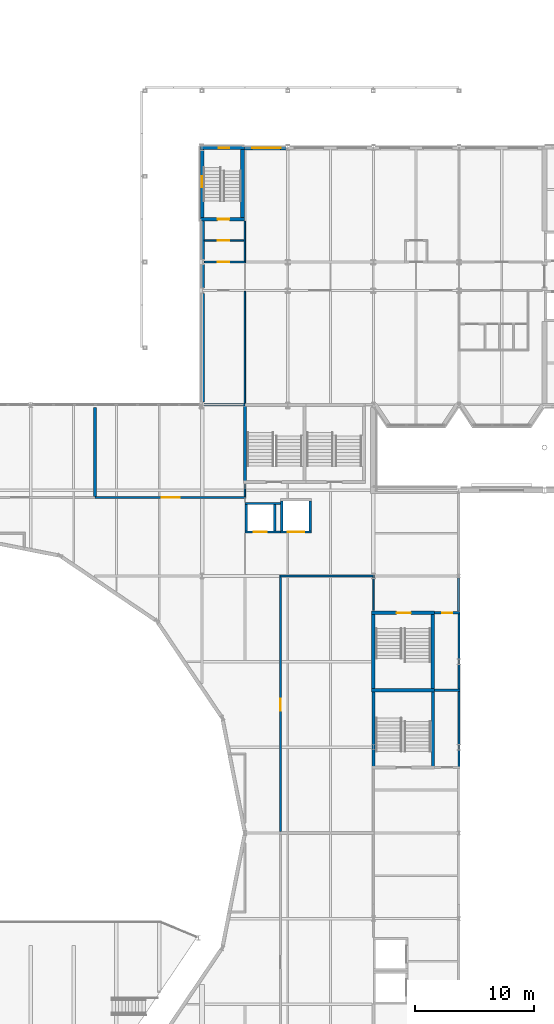
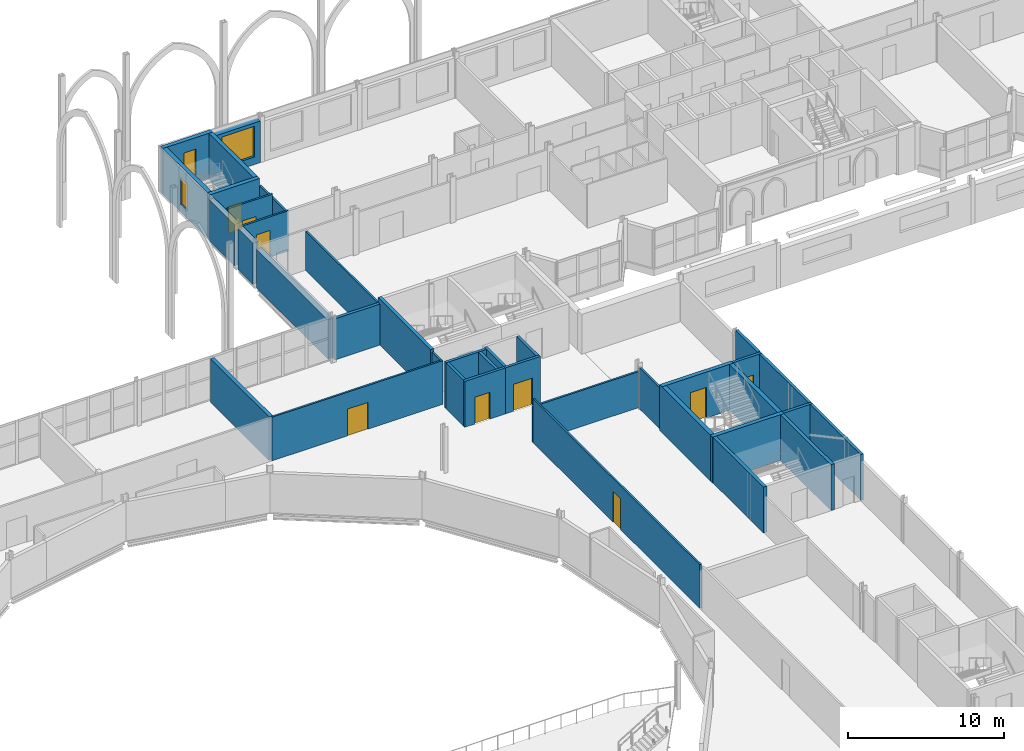
# One storey, part 72 of 124: 38 walls, 9 doors, 3 windows, 12 openings.
"""IFC4 building model written with IfcOpenShell, lengths in metres."""

from ifc_helpers import new_model, si_unit, direction, frame, frame_2d, origin, place, context, subcontext, project, spatial, rectangle, extrude, material, layer, layer_set, type_object, element, fill, save


model = new_model("IFC4")

# Units and contexts
model_context = context("Model", 3, precision=1e-05, world=origin(), true_north=direction((0.0, 1.0)))
body_context = subcontext(model_context, "Body", "Model", "MODEL_VIEW")
ifc_project = project(units=[si_unit("LENGTHUNIT", "METRE"), si_unit("AREAUNIT", "SQUARE_METRE"), si_unit("VOLUMEUNIT", "CUBIC_METRE"), si_unit("PLANEANGLEUNIT", "RADIAN"), si_unit("MASSUNIT", "GRAM", prefix="KILO")], contexts=[model_context])

# Site, building, storey
site_placement = place(None, origin())
site = spatial("IfcSite", under=ifc_project, at=site_placement, CompositionType="ELEMENT")
building_placement = place(site_placement, origin())
building = spatial("IfcBuilding", under=site, at=building_placement, Name="Kupolbacken Congress Centre", CompositionType="ELEMENT")
storey_placement = place(building_placement, frame((0.0, 0.0, 10.800048828125)))
storey = spatial("IfcBuildingStorey", under=building, at=storey_placement, Name="L03", CompositionType="ELEMENT", Elevation=10.800048828125)

# Wall, opening, window
ifc_material_1 = material(Name="Limestone", Category="masonry")
ifc_layer_1 = layer(ifc_material_1, 0.1201171875)
ifc_material_2 = material(Name="Air cavity", Category="air")
ifc_layer_2 = layer(ifc_material_2, 0.0400390625, ventilated=True)
ifc_material_3 = material(Name="Mineral wool", Category="insulation")
ifc_layer_3 = layer(ifc_material_3, 0.169921875)
ifc_material_4 = material(Name="Steel studs", Category="metal")
ifc_layer_4 = layer(ifc_material_4, 0.050048828125)
ifc_layer_set_1 = layer_set([ifc_layer_1, ifc_layer_2, ifc_layer_3, ifc_layer_4], Name="Limestone / Mineral wool / Steel studs")
wall_type_1 = type_object("IfcWallType", Name="EW03 external cavity wall 380", PredefinedType="SOLIDWALL", material=ifc_layer_set_1)
wall_1_placement = place(storey_placement, frame((71.846435546875, 144.0, 0.0), z_axis=(0.0, 0.0, 1.0), x_axis=(-1.0, 0.0, 0.0)))
wall_1 = element("IfcWall", 1, at=wall_1_placement, inside=storey, type_object=wall_type_1, Name="E/T/N/L03/041", PredefinedType="SOLIDWALL", context=body_context, shape_type="SweptSolid", body=[
    extrude(rectangle(XDim=3.646484375, YDim=0.3798828125, at=frame_2d((1.8232421875, 0.0))), origin(), (0.0, 0.0, 1.0), 3.260009765625),
])
opening_1_placement = place(wall_1_placement, frame((0.446533203125, 0.0, 0.60009765625)))
opening_1 = element("IfcOpeningElement", 2, at=opening_1_placement, cuts=wall_1, Name="Opening W30", PredefinedType="OPENING", context=body_context, shape_type="SweptSolid", body=[
    extrude(rectangle(XDim=2.39990234375, YDim=2.39990234375, at=frame_2d((1.199951171875, 1.199951171875))), frame((0.0, 0.199951171875, 0.0), z_axis=(0.0, -1.0, 0.0), x_axis=(1.0, 0.0, 0.0)), (0.0, 0.0, 1.0), 0.39990234375),
])
ifc_material_5 = material(Name="Aluminium frame with double or triple glazing", Category="aluminium")
window_type_1 = type_object("IfcWindowType", Name="W30 window 2400x2400", PartitioningType="DOUBLE_PANEL_VERTICAL", PredefinedType="WINDOW", material=ifc_material_5)
window_1_placement = place(opening_1_placement, origin())
window_1 = element("IfcWindow", 3, at=window_1_placement, inside=storey, type_object=window_type_1, Name="E/T/N/L03/041/W1", OverallHeight=2.39990234375, OverallWidth=2.39990234375, PartitioningType="SINGLE_PANEL", PredefinedType="WINDOW", context=body_context, shape_type="SweptSolid", body=[
    extrude(rectangle(XDim=2.39990234375, YDim=2.39990234375, at=frame_2d((1.199951171875, 1.199951171875))), frame((0.0, 0.030029296875, 0.0), z_axis=(0.0, -1.0, 0.0), x_axis=(1.0, 0.0, 0.0)), (0.0, 0.0, 1.0), 0.06005859375),
])
fill(opening_1, window_1)

# Walls
wall_2_placement = place(storey_placement, frame((64.800048828125, 138.0, 0.0), z_axis=(0.0, 0.0, 1.0), x_axis=(0.0, -1.0, 0.0)))
element("IfcWall", 4, at=wall_2_placement, inside=storey, type_object=wall_type_1, Name="E/T/W/L03/044", PredefinedType="SOLIDWALL", context=body_context, shape_type="SweptSolid", body=[
    extrude(rectangle(XDim=3.375, YDim=0.3798828125, at=frame_2d((1.6875, 0.0))), origin(), (0.0, 0.0, 1.0), 3.260009765625),
])
wall_3_placement = place(storey_placement, frame((64.800048828125, 134.175048828125, 0.0), z_axis=(0.0, 0.0, 1.0), x_axis=(0.0, -1.0, 0.0)))
element("IfcWall", 5, at=wall_3_placement, inside=storey, type_object=wall_type_1, Name="E/T/W/L03/045", PredefinedType="SOLIDWALL", context=body_context, shape_type="SweptSolid", body=[
    extrude(rectangle(XDim=1.949951171875, YDim=0.3798828125, at=frame_2d((0.97509765625, 0.0))), origin(), (0.0, 0.0, 1.0), 3.260009765625),
])
wall_4_placement = place(storey_placement, frame((64.800048828125, 131.77490234375, 0.0), z_axis=(0.0, 0.0, 1.0), x_axis=(0.0, -1.0, 0.0)))
element("IfcWall", 6, at=wall_4_placement, inside=storey, type_object=wall_type_1, Name="E/T/W/L03/046", PredefinedType="SOLIDWALL", context=body_context, shape_type="SweptSolid", body=[
    extrude(rectangle(XDim=9.14990234375, YDim=0.3798828125, at=frame_2d((4.574951171875, 0.0))), origin(), (0.0, 0.0, 1.0), 3.06005859375),
])
ifc_material_6 = material(Name="Gypsum board", Category="drywall")
ifc_layer_5 = layer(ifc_material_6, 0.135009765625)
ifc_layer_set_2 = layer_set([ifc_layer_5], Name="Gypsum board")
wall_type_2 = type_object("IfcWallType", Name="P06 compartment wall 135", PredefinedType="PARTITIONING", material=ifc_layer_set_2)
wall_5_placement = place(storey_placement, frame((68.39990234375, 114.66748046875, 0.0), z_axis=(0.0, 0.0, 1.0), x_axis=(0.0, 1.0, 0.0)))
element("IfcWall", 7, at=wall_5_placement, inside=storey, type_object=wall_type_2, Name="PD/L03/W007", PredefinedType="PARTITIONING", context=body_context, shape_type="SweptSolid", body=[
    extrude(rectangle(XDim=1.047607421875, YDim=0.135009765625, at=frame_2d((0.52392578125, 0.0))), origin(), (0.0, 0.0, 1.0), 3.419921875),
])
wall_6_placement = place(storey_placement, frame((79.199951171875, 107.9326171875, 0.0), z_axis=(0.0, 0.0, 1.0), x_axis=(0.0, -1.0, 0.0)))
element("IfcWall", 8, at=wall_6_placement, inside=storey, type_object=wall_type_2, Name="PD/L03/W016", PredefinedType="PARTITIONING", context=body_context, shape_type="SweptSolid", body=[
    extrude(rectangle(XDim=2.822509765625, YDim=0.135009765625, at=frame_2d((1.4111328125, 0.0))), origin(), (0.0, 0.0, 1.0), 3.219970703125),
])

# Wall, opening, door
wall_7_placement = place(storey_placement, frame((68.467529296875, 114.60009765625, 0.0), z_axis=(0.0, 0.0, 1.0), x_axis=(-1.0, 0.0, 0.0)))
wall_7 = element("IfcWall", 9, at=wall_7_placement, inside=storey, type_object=wall_type_2, Name="PD/L03/W064", PredefinedType="PARTITIONING", context=body_context, shape_type="SweptSolid", body=[
    extrude(rectangle(XDim=12.66748046875, YDim=0.135009765625, at=frame_2d((6.333740234375, 0.0))), origin(), (0.0, 0.0, 1.0), 3.419921875),
])
opening_2_placement = place(wall_7_placement, frame((5.550048828125, 0.0, 0.0)))
opening_2 = element("IfcOpeningElement", 10, at=opening_2_placement, cuts=wall_7, Name="Opening 3.P16", PredefinedType="OPENING", context=body_context, shape_type="SweptSolid", body=[
    extrude(rectangle(XDim=1.5, YDim=2.10009765625, at=frame_2d((0.75, 1.050048828125))), frame((0.0, 0.077392578125, 0.0), z_axis=(0.0, -1.0, 0.0), x_axis=(1.0, 0.0, 0.0)), (0.0, 0.0, 1.0), 0.155029296875),
])
ifc_material_7 = material(Name="Steel fire door leaf", Category="steel")
door_type_1 = type_object("IfcDoorType", Name="D12 fire door 1500x2100", OperationType="DOUBLE_DOOR_SINGLE_SWING", PredefinedType="DOOR", material=ifc_material_7)
door_1_placement = place(opening_2_placement, origin())
door_1 = element("IfcDoor", 11, at=door_1_placement, inside=storey, type_object=door_type_1, Name="PD/L03/W064/D3P16", OperationType="DOUBLE_DOOR_SINGLE_SWING", OverallHeight=2.10009765625, OverallWidth=1.5, PredefinedType="DOOR", context=body_context, shape_type="SweptSolid", body=[
    extrude(rectangle(XDim=1.5, YDim=2.10009765625, at=frame_2d((0.75, 1.050048828125))), frame((0.0, 0.02490234375, 0.0), z_axis=(0.0, -1.0, 0.0), x_axis=(1.0, 0.0, 0.0)), (0.0, 0.0, 1.0), 0.050048828125),
])
fill(opening_2, door_1)

# Wall
wall_8_placement = place(storey_placement, frame((71.33251953125, 108.0, 0.0), z_axis=(0.0, 0.0, 1.0), x_axis=(1.0, 0.0, 0.0)))
element("IfcWall", 12, at=wall_8_placement, inside=storey, type_object=wall_type_2, Name="PD/L03/W072", PredefinedType="PARTITIONING", context=body_context, shape_type="SweptSolid", body=[
    extrude(rectangle(XDim=7.93505859375, YDim=0.135009765625, at=frame_2d((3.967529296875, 0.0))), origin(), (0.0, 0.0, 1.0), 2.820068359375),
])

# Wall, opening, door
wall_9_placement = place(storey_placement, frame((71.39990234375, 86.53759765625, 0.0), z_axis=(0.0, 0.0, 1.0), x_axis=(0.0, 1.0, 0.0)))
wall_9 = element("IfcWall", 13, at=wall_9_placement, inside=storey, type_object=wall_type_2, Name="PD/L03/W073", PredefinedType="PARTITIONING", context=body_context, shape_type="SweptSolid", body=[
    extrude(rectangle(XDim=21.39501953125, YDim=0.135009765625, at=frame_2d((10.697509765625, 0.0))), origin(), (0.0, 0.0, 1.0), 3.419921875),
])
opening_3_placement = place(wall_9_placement, frame((10.14990234375, 0.0, 0.0)))
opening_3 = element("IfcOpeningElement", 14, at=opening_3_placement, cuts=wall_9, Name="Opening 3.P18", PredefinedType="OPENING", context=body_context, shape_type="SweptSolid", body=[
    extrude(rectangle(XDim=1.0, YDim=2.39990234375, at=frame_2d((0.5, 1.199951171875))), frame((0.0, 0.077392578125, 0.0), z_axis=(0.0, -1.0, 0.0), x_axis=(1.0, 0.0, 0.0)), (0.0, 0.0, 1.0), 0.155029296875),
])
ifc_material_8 = material(Name="Steel fire door leaf", Category="steel")
door_type_2 = type_object("IfcDoorType", Name="D8 fire door 1000x2400", OperationType="SINGLE_SWING_LEFT", PredefinedType="DOOR", material=ifc_material_8)
door_2_placement = place(opening_3_placement, frame((1.0, 0.0, 0.0), z_axis=(0.0, 0.0, 1.0), x_axis=(-1.0, 0.0, 0.0)))
door_2 = element("IfcDoor", 15, at=door_2_placement, inside=storey, type_object=door_type_2, Name="PD/L03/W073/D3P18", OperationType="SINGLE_SWING_RIGHT", OverallHeight=2.39990234375, OverallWidth=1.0, PredefinedType="DOOR", context=body_context, shape_type="SweptSolid", body=[
    extrude(rectangle(XDim=1.0, YDim=2.39990234375, at=frame_2d((0.5, 1.199951171875))), frame((0.0, 0.02490234375, 0.0), z_axis=(0.0, -1.0, 0.0), x_axis=(1.0, 0.0, 0.0)), (0.0, 0.0, 1.0), 0.050048828125),
])
fill(opening_3, door_2)

# Walls
wall_10_placement = place(storey_placement, frame((68.39990234375, 122.52490234375, 0.0), z_axis=(0.0, 0.0, 1.0), x_axis=(0.0, 1.0, 0.0)))
element("IfcWall", 16, at=wall_10_placement, inside=storey, type_object=wall_type_2, Name="T/wall/L03/y/6840/12252", PredefinedType="PARTITIONING", context=body_context, shape_type="SweptSolid", body=[
    extrude(rectangle(XDim=9.40771484375, YDim=0.135009765625, at=frame_2d((4.703857421875, 0.0))), origin(), (0.0, 0.0, 1.0), 3.06005859375),
])
ifc_material_9 = material(Name="Gypsum board", Category="drywall")
ifc_layer_6 = layer(ifc_material_9, 0.22509765625)
ifc_layer_set_3 = layer_set([ifc_layer_6], Name="Gypsum board")
wall_type_3 = type_object("IfcWallType", Name="P11 compartment wall 225", PredefinedType="PARTITIONING", material=ifc_layer_set_3)
wall_11_placement = place(storey_placement, frame((64.949951171875, 122.39990234375, 0.0), z_axis=(0.0, 0.0, 1.0), x_axis=(1.0, 0.0, 0.0)))
element("IfcWall", 17, at=wall_11_placement, inside=storey, type_object=wall_type_3, Name="E/T/party/L03/07", PredefinedType="PARTITIONING", context=body_context, shape_type="SweptSolid", body=[
    extrude(rectangle(XDim=3.449951171875, YDim=0.22509765625, at=frame_2d((1.72509765625, 0.0))), origin(), (0.0, 0.0, 1.0), 3.219970703125),
])
ifc_material_10 = material(Name="Gypsum board", Category="drywall")
ifc_layer_7 = layer(ifc_material_10, 0.27490234375)
ifc_layer_set_4 = layer_set([ifc_layer_7], Name="Gypsum board")
wall_type_4 = type_object("IfcWallType", Name="P12 partition 275", PredefinedType="PARTITIONING", material=ifc_layer_set_4)
wall_12_placement = place(storey_placement, frame((55.800048828125, 122.179931640625, 0.0), z_axis=(0.0, 0.0, 1.0), x_axis=(0.0, -1.0, 0.0)))
element("IfcWall", 18, at=wall_12_placement, inside=storey, type_object=wall_type_4, Name="PD/L03/W062", PredefinedType="PARTITIONING", context=body_context, shape_type="SweptSolid", body=[
    extrude(rectangle(XDim=7.512451171875, YDim=0.27490234375, at=frame_2d((3.75634765625, 0.0))), origin(), (0.0, 0.0, 1.0), 3.419921875),
])

# Wall, opening, door
ifc_material_11 = material(Name="Aerated concrete block", Category="masonry")
ifc_layer_8 = layer(ifc_material_11, 0.139892578125)
ifc_layer_set_5 = layer_set([ifc_layer_8], Name="Aerated concrete block")
wall_type_5 = type_object("IfcWallType", Name="P14 compartment wall 140", PredefinedType="PARTITIONING", material=ifc_layer_set_5)
wall_13_placement = place(storey_placement, frame((64.989990234375, 134.39990234375, 0.0), z_axis=(0.0, 0.0, 1.0), x_axis=(1.0, 0.0, 0.0)))
wall_13 = element("IfcWall", 19, at=wall_13_placement, inside=storey, type_object=wall_type_5, Name="T/wall/L03/x/13440/6480", PredefinedType="PARTITIONING", context=body_context, shape_type="SweptSolid", body=[
    extrude(rectangle(XDim=3.47998046875, YDim=0.139892578125, at=frame_2d((1.739990234375, 0.0))), origin(), (0.0, 0.0, 1.0), 3.158935546875),
])
opening_4_placement = place(wall_13_placement, frame((1.110107421875, 0.0, 0.0)))
opening_4 = element("IfcOpeningElement", 20, at=opening_4_placement, cuts=wall_13, Name="Opening D5", PredefinedType="OPENING", context=body_context, shape_type="SweptSolid", body=[
    extrude(rectangle(XDim=1.0, YDim=2.10009765625, at=frame_2d((0.5, 1.050048828125))), frame((0.0, 0.079833984375, 0.0), z_axis=(0.0, -1.0, 0.0), x_axis=(1.0, 0.0, 0.0)), (0.0, 0.0, 1.0), 0.159912109375),
])
ifc_material_12 = material(Name="Steel fire door leaf", Category="steel")
door_type_3 = type_object("IfcDoorType", Name="D5 stair door 1000x2100", OperationType="SINGLE_SWING_LEFT", PredefinedType="DOOR", material=ifc_material_12)
door_3_placement = place(opening_4_placement, origin())
door_3 = element("IfcDoor", 21, at=door_3_placement, inside=storey, type_object=door_type_3, Name="T/wall/L03/x/13440/6480/D-TS3-LK3", OperationType="SINGLE_SWING_RIGHT", OverallHeight=2.10009765625, OverallWidth=1.0, PredefinedType="DOOR", context=body_context, shape_type="SweptSolid", body=[
    extrude(rectangle(XDim=1.0, YDim=2.10009765625, at=frame_2d((0.5, 1.050048828125))), frame((0.0, 0.02490234375, 0.0), z_axis=(0.0, -1.0, 0.0), x_axis=(1.0, 0.0, 0.0)), (0.0, 0.0, 1.0), 0.050048828125),
])
fill(opening_4, door_3)

wall_14_placement = place(storey_placement, frame((64.989990234375, 136.199951171875, 0.0), z_axis=(0.0, 0.0, 1.0), x_axis=(1.0, 0.0, 0.0)))
wall_14 = element("IfcWall", 22, at=wall_14_placement, inside=storey, type_object=wall_type_5, Name="T/wall/L03/x/13620/6480", PredefinedType="PARTITIONING", context=body_context, shape_type="SweptSolid", body=[
    extrude(rectangle(XDim=3.340087890625, YDim=0.139892578125, at=frame_2d((1.669921875, 0.0))), origin(), (0.0, 0.0, 1.0), 3.419921875),
])
opening_5_placement = place(wall_14_placement, frame((1.110107421875, 0.0, 0.0)))
opening_5 = element("IfcOpeningElement", 23, at=opening_5_placement, cuts=wall_14, Name="Opening D5", PredefinedType="OPENING", context=body_context, shape_type="SweptSolid", body=[
    extrude(rectangle(XDim=1.0, YDim=2.10009765625, at=frame_2d((0.5, 1.050048828125))), frame((0.0, 0.079833984375, 0.0), z_axis=(0.0, -1.0, 0.0), x_axis=(1.0, 0.0, 0.0)), (0.0, 0.0, 1.0), 0.159912109375),
])
door_4_placement = place(opening_5_placement, origin())
door_4 = element("IfcDoor", 24, at=door_4_placement, inside=storey, type_object=door_type_3, Name="T/wall/L03/x/13620/6480/D-TS3-LK2", OperationType="SINGLE_SWING_RIGHT", OverallHeight=2.10009765625, OverallWidth=1.0, PredefinedType="DOOR", context=body_context, shape_type="SweptSolid", body=[
    extrude(rectangle(XDim=1.0, YDim=2.10009765625, at=frame_2d((0.5, 1.050048828125))), frame((0.0, 0.02490234375, 0.0), z_axis=(0.0, -1.0, 0.0), x_axis=(1.0, 0.0, 0.0)), (0.0, 0.0, 1.0), 0.050048828125),
])
fill(opening_5, door_4)

# Walls
wall_15_placement = place(storey_placement, frame((68.39990234375, 134.487548828125, 0.0), z_axis=(0.0, 0.0, 1.0), x_axis=(0.0, 1.0, 0.0)))
element("IfcWall", 25, at=wall_15_placement, inside=storey, type_object=wall_type_5, Name="T/wall/L03/y/6840/13440", PredefinedType="PARTITIONING", context=body_context, shape_type="SweptSolid", body=[
    extrude(rectangle(XDim=3.362548828125, YDim=0.139892578125, at=frame_2d((1.68115234375, 0.0))), origin(), (0.0, 0.0, 1.0), 3.06005859375),
])
ifc_material_13 = material(Name="Dense concrete block", Category="masonry")
ifc_layer_9 = layer(ifc_material_13, 0.215087890625)
ifc_layer_set_6 = layer_set([ifc_layer_9], Name="Dense concrete block")
wall_type_6 = type_object("IfcWallType", Name="P15 partition 215", PredefinedType="PARTITIONING", material=ifc_layer_set_6)
wall_16_placement = place(storey_placement, frame((86.39990234375, 105.06005859375, 0.0), z_axis=(0.0, 0.0, 1.0), x_axis=(0.0, 1.0, 0.0)))
element("IfcWall", 26, at=wall_16_placement, inside=storey, type_object=wall_type_6, Name="PD/L03/W017", PredefinedType="PARTITIONING", context=body_context, shape_type="SweptSolid", body=[
    extrude(rectangle(XDim=2.794921875, YDim=0.215087890625, at=frame_2d((1.3974609375, 0.0))), origin(), (0.0, 0.0, 1.0), 3.599853515625),
])
ifc_material_14 = material(Name="Concrete C40/50", Category="concrete")
ifc_layer_10 = layer(ifc_material_14, 0.199951171875)
ifc_layer_set_7 = layer_set([ifc_layer_10], Name="Concrete C40/50")
wall_type_7 = type_object("IfcWallType", Name="WC1 RC shaft wall 200", PredefinedType="SHEAR", material=ifc_layer_set_7)
wall_17_placement = place(storey_placement, frame((86.39990234375, 91.800048828125, 0.0), z_axis=(0.0, 0.0, 1.0), x_axis=(0.0, 1.0, 0.0)))
element("IfcWall", 27, at=wall_17_placement, inside=storey, type_object=wall_type_7, Name="Shaft wall L03-055", PredefinedType="SHEAR", context=body_context, shape_type="SweptSolid", body=[
    extrude(rectangle(XDim=6.699951171875, YDim=0.199951171875, at=frame_2d((3.35009765625, 0.0))), origin(), (0.0, 0.0, 1.0), 3.599853515625),
])
wall_18_placement = place(storey_placement, frame((84.35009765625, 98.39990234375, 0.0), z_axis=(0.0, 0.0, 1.0), x_axis=(1.0, 0.0, 0.0)))
element("IfcWall", 28, at=wall_18_placement, inside=storey, type_object=wall_type_7, Name="Shaft wall L03-058", PredefinedType="SHEAR", context=body_context, shape_type="SweptSolid", body=[
    extrude(rectangle(XDim=2.14990234375, YDim=0.199951171875, at=frame_2d((1.074951171875, 0.0))), origin(), (0.0, 0.0, 1.0), 3.599853515625),
])
wall_19_placement = place(storey_placement, frame((86.39990234375, 98.5, 0.0), z_axis=(0.0, 0.0, 1.0), x_axis=(0.0, 1.0, 0.0)))
element("IfcWall", 29, at=wall_19_placement, inside=storey, type_object=wall_type_7, Name="Shaft wall L03-060", PredefinedType="SHEAR", context=body_context, shape_type="SweptSolid", body=[
    extrude(rectangle(XDim=6.5, YDim=0.199951171875, at=frame_2d((3.25, 0.0))), origin(), (0.0, 0.0, 1.0), 3.599853515625),
])

# Wall, opening, door
wall_20_placement = place(storey_placement, frame((86.5, 104.89990234375, 0.0), z_axis=(0.0, 0.0, 1.0), x_axis=(-1.0, 0.0, 0.0)))
wall_20 = element("IfcWall", 30, at=wall_20_placement, inside=storey, type_object=wall_type_7, Name="Shaft wall L03-063", PredefinedType="SHEAR", context=body_context, shape_type="SweptSolid", body=[
    extrude(rectangle(XDim=2.14990234375, YDim=0.199951171875, at=frame_2d((1.074951171875, 0.0))), origin(), (0.0, 0.0, 1.0), 3.599853515625),
])
opening_6_placement = place(wall_20_placement, frame((0.64990234375, 0.0, 0.0)))
opening_6 = element("IfcOpeningElement", 31, at=opening_6_placement, cuts=wall_20, Name="Opening 3.L06", PredefinedType="OPENING", context=body_context, shape_type="SweptSolid", body=[
    extrude(rectangle(XDim=0.85009765625, YDim=2.10009765625, at=frame_2d((0.425048828125, 1.050048828125))), frame((0.0, 0.10986328125, 0.0), z_axis=(0.0, -1.0, 0.0), x_axis=(1.0, 0.0, 0.0)), (0.0, 0.0, 1.0), 0.219970703125),
])
ifc_material_15 = material(Name="Steel fire door leaf", Category="steel")
door_type_4 = type_object("IfcDoorType", Name="D3 fire door 850x2100", OperationType="SINGLE_SWING_LEFT", PredefinedType="DOOR", material=ifc_material_15)
door_5_placement = place(opening_6_placement, origin())
door_5 = element("IfcDoor", 32, at=door_5_placement, inside=storey, type_object=door_type_4, Name="S/core/L03/063/D3L06", OperationType="SINGLE_SWING_RIGHT", OverallHeight=2.10009765625, OverallWidth=0.85009765625, PredefinedType="DOOR", context=body_context, shape_type="SweptSolid", body=[
    extrude(rectangle(XDim=0.85009765625, YDim=2.10009765625, at=frame_2d((0.425048828125, 1.050048828125))), frame((0.0, 0.02490234375, 0.0), z_axis=(0.0, -1.0, 0.0), x_axis=(1.0, 0.0, 0.0)), (0.0, 0.0, 1.0), 0.050048828125),
])
fill(opening_6, door_5)

wall_21_placement = place(storey_placement, frame((68.39990234375, 111.699951171875, 0.0), z_axis=(0.0, 0.0, 1.0), x_axis=(1.0, 0.0, 0.0)))
wall_21 = element("IfcWall", 33, at=wall_21_placement, inside=storey, type_object=wall_type_7, Name="Shaft wall LP8", PredefinedType="SHEAR", context=body_context, shape_type="SweptSolid", body=[
    extrude(rectangle(XDim=3.0, YDim=0.199951171875, at=frame_2d((1.5, 0.0))), origin(), (0.0, 0.0, 1.0), 3.599853515625),
])
opening_7_placement = place(wall_21_placement, frame((0.75, 0.0, 0.0)))
opening_7 = element("IfcOpeningElement", 34, at=opening_7_placement, cuts=wall_21, Name="Opening LD2", PredefinedType="OPENING", context=body_context, shape_type="SweptSolid", body=[
    extrude(rectangle(XDim=1.10009765625, YDim=2.10009765625, at=frame_2d((0.550048828125, 1.050048828125))), frame((0.0, 0.10986328125, 0.0), z_axis=(0.0, -1.0, 0.0), x_axis=(1.0, 0.0, 0.0)), (0.0, 0.0, 1.0), 0.219970703125),
])
ifc_material_16 = material(Name="Stainless steel door leaf", Category="steel")
door_type_5 = type_object("IfcDoorType", Name="LD2 lift landing door 1100x2100", OperationType="SLIDING_TO_LEFT", PredefinedType="DOOR", material=ifc_material_16)
door_6_placement = place(opening_7_placement, origin())
door_6 = element("IfcDoor", 35, at=door_6_placement, inside=storey, type_object=door_type_5, Name="Lift landing door LP8", OperationType="SLIDING_TO_LEFT", OverallHeight=2.10009765625, OverallWidth=1.10009765625, PredefinedType="DOOR", context=body_context, shape_type="SweptSolid", body=[
    extrude(rectangle(XDim=1.10009765625, YDim=2.10009765625, at=frame_2d((0.550048828125, 1.050048828125))), frame((0.0, 0.02490234375, 0.0), z_axis=(0.0, -1.0, 0.0), x_axis=(1.0, 0.0, 0.0)), (0.0, 0.0, 1.0), 0.050048828125),
])
fill(opening_7, door_6)

# Walls
wall_22_placement = place(storey_placement, frame((68.39990234375, 114.10009765625, 0.0), z_axis=(0.0, 0.0, 1.0), x_axis=(1.0, 0.0, 0.0)))
element("IfcWall", 36, at=wall_22_placement, inside=storey, type_object=wall_type_7, Name="Shaft wall LP8", PredefinedType="SHEAR", context=body_context, shape_type="SweptSolid", body=[
    extrude(rectangle(XDim=3.0, YDim=0.199951171875, at=frame_2d((1.5, 0.0))), origin(), (0.0, 0.0, 1.0), 3.599853515625),
])
for number, where, z_axis, x_axis, name in (
    (37, (68.5, 111.800048828125, 0.0), (0.0, 0.0, 1.0), (0.0, 1.0, 0.0), "Shaft wall LP8"),
    (38, (70.89990234375, 111.800048828125, 0.0), (0.0, 0.0, 1.0), (0.0, 1.0, 0.0), "Shaft wall LP8"),
):
    element("IfcWall", number, at=place(storey_placement, frame(where, z_axis=z_axis, x_axis=x_axis)), inside=storey, type_object=wall_type_7, Name=name, PredefinedType="SHEAR", context=body_context, shape_type="SweptSolid", body=[
        extrude(rectangle(XDim=2.199951171875, YDim=0.199951171875, at=frame_2d((1.10009765625, 0.0))), origin(), (0.0, 0.0, 1.0), 3.599853515625),
    ])

# Wall, opening, door
wall_23_placement = place(storey_placement, frame((71.39990234375, 111.699951171875, 0.0), z_axis=(0.0, 0.0, 1.0), x_axis=(1.0, 0.0, 0.0)))
wall_23 = element("IfcWall", 39, at=wall_23_placement, inside=storey, type_object=wall_type_7, Name="Shaft wall LG2", PredefinedType="SHEAR", context=body_context, shape_type="SweptSolid", body=[
    extrude(rectangle(XDim=2.60009765625, YDim=0.199951171875, at=frame_2d((1.300048828125, 0.0))), origin(), (0.0, 0.0, 1.0), 3.599853515625),
])
opening_8_placement = place(wall_23_placement, frame((0.60009765625, 0.0, 0.0)))
opening_8 = element("IfcOpeningElement", 40, at=opening_8_placement, cuts=wall_23, Name="Opening LD3", PredefinedType="OPENING", context=body_context, shape_type="SweptSolid", body=[
    extrude(rectangle(XDim=1.39990234375, YDim=2.10009765625, at=frame_2d((0.699951171875, 1.050048828125))), frame((0.0, 0.10986328125, 0.0), z_axis=(0.0, -1.0, 0.0), x_axis=(1.0, 0.0, 0.0)), (0.0, 0.0, 1.0), 0.219970703125),
])
ifc_material_17 = material(Name="Stainless steel door leaf", Category="steel")
door_type_6 = type_object("IfcDoorType", Name="LD3 lift landing door 1400x2100", OperationType="SLIDING_TO_LEFT", PredefinedType="DOOR", material=ifc_material_17)
door_7_placement = place(opening_8_placement, origin())
door_7 = element("IfcDoor", 41, at=door_7_placement, inside=storey, type_object=door_type_6, Name="Lift landing door LG2", OperationType="SLIDING_TO_LEFT", OverallHeight=2.10009765625, OverallWidth=1.39990234375, PredefinedType="DOOR", context=body_context, shape_type="SweptSolid", body=[
    extrude(rectangle(XDim=1.39990234375, YDim=2.10009765625, at=frame_2d((0.699951171875, 1.050048828125))), frame((0.0, 0.02490234375, 0.0), z_axis=(0.0, -1.0, 0.0), x_axis=(1.0, 0.0, 0.0)), (0.0, 0.0, 1.0), 0.050048828125),
])
fill(opening_8, door_7)

# Walls
for number, where, z_axis, x_axis, name in (
    (42, (71.5, 111.800048828125, 0.0), (0.0, 0.0, 1.0), (0.0, 1.0, 0.0), "Shaft wall LG2"),
    (43, (73.89990234375, 111.800048828125, 0.0), (0.0, 0.0, 1.0), (0.0, 1.0, 0.0), "Shaft wall LG2"),
):
    element("IfcWall", number, at=place(storey_placement, frame(where, z_axis=z_axis, x_axis=x_axis)), inside=storey, type_object=wall_type_7, Name=name, PredefinedType="SHEAR", context=body_context, shape_type="SweptSolid", body=[
        extrude(rectangle(XDim=2.5, YDim=0.199951171875, at=frame_2d((1.25, 0.0))), origin(), (0.0, 0.0, 1.0), 3.599853515625),
    ])
ifc_material_18 = material(Name="Concrete C40/50", Category="concrete")
ifc_layer_11 = layer(ifc_material_18, 0.25)
ifc_layer_set_8 = layer_set([ifc_layer_11], Name="Concrete C40/50")
wall_type_8 = type_object("IfcWallType", Name="WC2 RC stair enclosure wall 250", PredefinedType="SHEAR", material=ifc_layer_set_8)
for number, where, z_axis, x_axis, name in (
    (44, (84.199951171875, 91.77490234375, 0.0), (0.0, 0.0, 1.0), (0.0, 1.0, 0.0), "Stair enclosure wall L03-054"),
    (45, (79.199951171875, 98.550048828125, 0.0), (0.0, 0.0, 1.0), (0.0, -1.0, 0.0), "Stair enclosure wall L03-056"),
):
    element("IfcWall", number, at=place(storey_placement, frame(where, z_axis=z_axis, x_axis=x_axis)), inside=storey, type_object=wall_type_8, Name=name, PredefinedType="SHEAR", context=body_context, shape_type="SweptSolid", body=[
        extrude(rectangle(XDim=6.775146484375, YDim=0.25, at=frame_2d((3.3876953125, 0.0))), origin(), (0.0, 0.0, 1.0), 3.599853515625),
    ])
wall_24_placement = place(storey_placement, frame((68.39990234375, 122.52490234375, 0.0), z_axis=(0.0, 0.0, 1.0), x_axis=(0.0, -1.0, 0.0)))
element("IfcWall", 46, at=wall_24_placement, inside=storey, type_object=wall_type_8, Name="Stair enclosure wall L03-075", PredefinedType="SHEAR", context=body_context, shape_type="SweptSolid", body=[
    extrude(rectangle(XDim=6.75, YDim=0.25, at=frame_2d((3.375, 0.0))), origin(), (0.0, 0.0, 1.0), 3.599853515625),
])
ifc_material_19 = material(Name="Concrete C40/50", Category="concrete")
ifc_layer_12 = layer(ifc_material_19, 0.300048828125)
ifc_layer_set_9 = layer_set([ifc_layer_12], Name="Concrete C40/50")
wall_type_9 = type_object("IfcWallType", Name="WC3 RC core wall 300", PredefinedType="SHEAR", material=ifc_layer_set_9)
wall_25_placement = place(storey_placement, frame((84.35009765625, 98.39990234375, 0.0), z_axis=(0.0, 0.0, 1.0), x_axis=(-1.0, 0.0, 0.0)))
element("IfcWall", 47, at=wall_25_placement, inside=storey, type_object=wall_type_9, Name="Core wall L03-057", PredefinedType="SHEAR", context=body_context, shape_type="SweptSolid", body=[
    extrude(rectangle(XDim=5.300048828125, YDim=0.300048828125, at=frame_2d((2.64990234375, 0.0))), origin(), (0.0, 0.0, 1.0), 3.599853515625),
])
for number, where, z_axis, x_axis, name in (
    (48, (84.199951171875, 98.550048828125, 0.0), (0.0, 0.0, 1.0), (0.0, 1.0, 0.0), "Core wall L03-059"),
    (49, (79.199951171875, 105.050048828125, 0.0), (0.0, 0.0, 1.0), (0.0, -1.0, 0.0), "Core wall L03-061"),
):
    element("IfcWall", number, at=place(storey_placement, frame(where, z_axis=z_axis, x_axis=x_axis)), inside=storey, type_object=wall_type_9, Name=name, PredefinedType="SHEAR", context=body_context, shape_type="SweptSolid", body=[
        extrude(rectangle(XDim=6.5, YDim=0.300048828125, at=frame_2d((3.25, 0.0))), origin(), (0.0, 0.0, 1.0), 3.599853515625),
    ])

# Wall, opening, door
wall_26_placement = place(storey_placement, frame((84.35009765625, 104.89990234375, 0.0), z_axis=(0.0, 0.0, 1.0), x_axis=(-1.0, 0.0, 0.0)))
wall_26 = element("IfcWall", 50, at=wall_26_placement, inside=storey, type_object=wall_type_9, Name="Core wall L03-062", PredefinedType="SHEAR", context=body_context, shape_type="SweptSolid", body=[
    extrude(rectangle(XDim=5.300048828125, YDim=0.300048828125, at=frame_2d((2.64990234375, 0.0))), origin(), (0.0, 0.0, 1.0), 3.599853515625),
])
opening_9_placement = place(wall_26_placement, frame((2.0, 0.0, 0.0)))
opening_9 = element("IfcOpeningElement", 51, at=opening_9_placement, cuts=wall_26, Name="Opening 3.L04", PredefinedType="OPENING", context=body_context, shape_type="SweptSolid", body=[
    extrude(rectangle(XDim=1.199951171875, YDim=2.39990234375, at=frame_2d((0.60009765625, 1.199951171875))), frame((0.0, 0.159912109375, 0.0), z_axis=(0.0, -1.0, 0.0), x_axis=(1.0, 0.0, 0.0)), (0.0, 0.0, 1.0), 0.320068359375),
])
ifc_material_20 = material(Name="Steel fire door leaf", Category="steel")
door_type_7 = type_object("IfcDoorType", Name="D9 fire door 1200x2400", OperationType="SINGLE_SWING_LEFT", PredefinedType="DOOR", material=ifc_material_20)
door_8_placement = place(opening_9_placement, origin())
door_8 = element("IfcDoor", 52, at=door_8_placement, inside=storey, type_object=door_type_7, Name="S/core/L03/062/D3L04", OperationType="SINGLE_SWING_RIGHT", OverallHeight=2.39990234375, OverallWidth=1.199951171875, PredefinedType="DOOR", context=body_context, shape_type="SweptSolid", body=[
    extrude(rectangle(XDim=1.199951171875, YDim=2.39990234375, at=frame_2d((0.60009765625, 1.199951171875))), frame((0.0, 0.02490234375, 0.0), z_axis=(0.0, -1.0, 0.0), x_axis=(1.0, 0.0, 0.0)), (0.0, 0.0, 1.0), 0.050048828125),
])
fill(opening_9, door_8)

wall_27_placement = place(storey_placement, frame((64.64990234375, 138.0, 0.0), z_axis=(0.0, 0.0, 1.0), x_axis=(1.0, 0.0, 0.0)))
wall_27 = element("IfcWall", 53, at=wall_27_placement, inside=storey, type_object=wall_type_9, Name="Core wall L03-118", PredefinedType="SHEAR", context=body_context, shape_type="SweptSolid", body=[
    extrude(rectangle(XDim=3.7001953125, YDim=0.300048828125, at=frame_2d((1.85009765625, 0.0))), origin(), (0.0, 0.0, 1.0), 3.599853515625),
])
opening_10_placement = place(wall_27_placement, frame((1.449951171875, 0.0, 0.0)))
opening_10 = element("IfcOpeningElement", 54, at=opening_10_placement, cuts=wall_27, Name="Opening D5", PredefinedType="OPENING", context=body_context, shape_type="SweptSolid", body=[
    extrude(rectangle(XDim=1.0, YDim=2.10009765625, at=frame_2d((0.5, 1.050048828125))), frame((0.0, 0.159912109375, 0.0), z_axis=(0.0, -1.0, 0.0), x_axis=(1.0, 0.0, 0.0)), (0.0, 0.0, 1.0), 0.320068359375),
])
door_9_placement = place(opening_10_placement, origin())
door_9 = element("IfcDoor", 55, at=door_9_placement, inside=storey, type_object=door_type_3, Name="S/core/L03/118/D-TS3-LK1", OperationType="SINGLE_SWING_LEFT", OverallHeight=2.10009765625, OverallWidth=1.0, PredefinedType="DOOR", context=body_context, shape_type="SweptSolid", body=[
    extrude(rectangle(XDim=1.0, YDim=2.10009765625, at=frame_2d((0.5, 1.050048828125))), frame((0.0, 0.02490234375, 0.0), z_axis=(0.0, -1.0, 0.0), x_axis=(1.0, 0.0, 0.0)), (0.0, 0.0, 1.0), 0.050048828125),
])
fill(opening_10, door_9)

# Wall
wall_28_placement = place(storey_placement, frame((68.199951171875, 137.85009765625, 0.0), z_axis=(0.0, 0.0, 1.0), x_axis=(0.0, 1.0, 0.0)))
element("IfcWall", 56, at=wall_28_placement, inside=storey, type_object=wall_type_9, Name="Core wall L03-119", PredefinedType="SHEAR", context=body_context, shape_type="SweptSolid", body=[
    extrude(rectangle(XDim=6.2998046875, YDim=0.300048828125, at=frame_2d((3.14990234375, 0.0))), origin(), (0.0, 0.0, 1.0), 3.599853515625),
])

# Wall, opening, window
wall_29_placement = place(storey_placement, frame((64.800048828125, 144.14990234375, 0.0), z_axis=(0.0, 0.0, 1.0), x_axis=(0.0, -1.0, 0.0)))
wall_29 = element("IfcWall", 57, at=wall_29_placement, inside=storey, type_object=wall_type_9, Name="Core wall L03-124", PredefinedType="SHEAR", context=body_context, shape_type="SweptSolid", body=[
    extrude(rectangle(XDim=6.2998046875, YDim=0.300048828125, at=frame_2d((3.14990234375, 0.0))), origin(), (0.0, 0.0, 1.0), 3.599853515625),
])
opening_11_placement = place(wall_29_placement, frame((2.550048828125, 0.0, 0.60009765625)))
opening_11 = element("IfcOpeningElement", 58, at=opening_11_placement, cuts=wall_29, Name="Opening W28", PredefinedType="OPENING", context=body_context, shape_type="SweptSolid", body=[
    extrude(rectangle(XDim=0.89990234375, YDim=2.10009765625, at=frame_2d((0.449951171875, 1.050048828125))), frame((0.0, 0.159912109375, 0.0), z_axis=(0.0, -1.0, 0.0), x_axis=(1.0, 0.0, 0.0)), (0.0, 0.0, 1.0), 0.320068359375),
])
ifc_material_21 = material(Name="Aluminium frame with double or triple glazing", Category="aluminium")
window_type_2 = type_object("IfcWindowType", Name="W28 window 900x2100", PartitioningType="SINGLE_PANEL", PredefinedType="WINDOW", material=ifc_material_21)
window_2_placement = place(opening_11_placement, origin())
window_2 = element("IfcWindow", 59, at=window_2_placement, inside=storey, type_object=window_type_2, Name="S/core/L03/124/WW28", OverallHeight=2.10009765625, OverallWidth=0.89990234375, PartitioningType="SINGLE_PANEL", PredefinedType="WINDOW", context=body_context, shape_type="SweptSolid", body=[
    extrude(rectangle(XDim=0.89990234375, YDim=2.10009765625, at=frame_2d((0.449951171875, 1.050048828125))), frame((0.0, 0.030029296875, 0.0), z_axis=(0.0, -1.0, 0.0), x_axis=(1.0, 0.0, 0.0)), (0.0, 0.0, 1.0), 0.06005859375),
])
fill(opening_11, window_2)

wall_30_placement = place(storey_placement, frame((68.35009765625, 144.0, 0.0), z_axis=(0.0, 0.0, 1.0), x_axis=(-1.0, 0.0, 0.0)))
wall_30 = element("IfcWall", 60, at=wall_30_placement, inside=storey, type_object=wall_type_9, Name="Core wall L03-125", PredefinedType="SHEAR", context=body_context, shape_type="SweptSolid", body=[
    extrude(rectangle(XDim=3.7001953125, YDim=0.300048828125, at=frame_2d((1.85009765625, 0.0))), origin(), (0.0, 0.0, 1.0), 3.599853515625),
])
opening_12_placement = place(wall_30_placement, frame((1.25, 0.0, 0.60009765625)))
opening_12 = element("IfcOpeningElement", 61, at=opening_12_placement, cuts=wall_30, Name="Opening W28", PredefinedType="OPENING", context=body_context, shape_type="SweptSolid", body=[
    extrude(rectangle(XDim=0.89990234375, YDim=2.10009765625, at=frame_2d((0.449951171875, 1.050048828125))), frame((0.0, 0.159912109375, 0.0), z_axis=(0.0, -1.0, 0.0), x_axis=(1.0, 0.0, 0.0)), (0.0, 0.0, 1.0), 0.320068359375),
])
window_3_placement = place(opening_12_placement, origin())
window_3 = element("IfcWindow", 62, at=window_3_placement, inside=storey, type_object=window_type_2, Name="S/core/L03/125/WW28", OverallHeight=2.10009765625, OverallWidth=0.89990234375, PartitioningType="SINGLE_PANEL", PredefinedType="WINDOW", context=body_context, shape_type="SweptSolid", body=[
    extrude(rectangle(XDim=0.89990234375, YDim=2.10009765625, at=frame_2d((0.449951171875, 1.050048828125))), frame((0.0, 0.030029296875, 0.0), z_axis=(0.0, -1.0, 0.0), x_axis=(1.0, 0.0, 0.0)), (0.0, 0.0, 1.0), 0.06005859375),
])
fill(opening_12, window_3)

save(model, "model.ifc")
